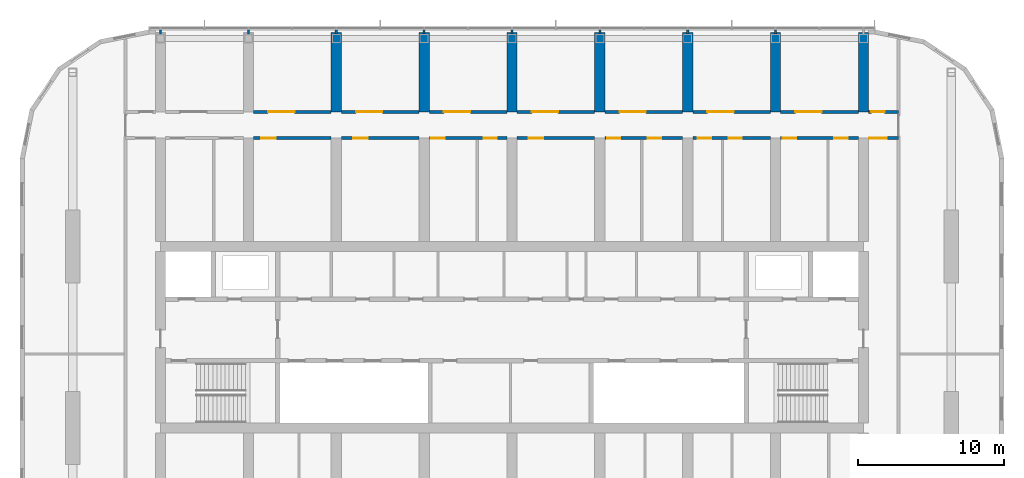
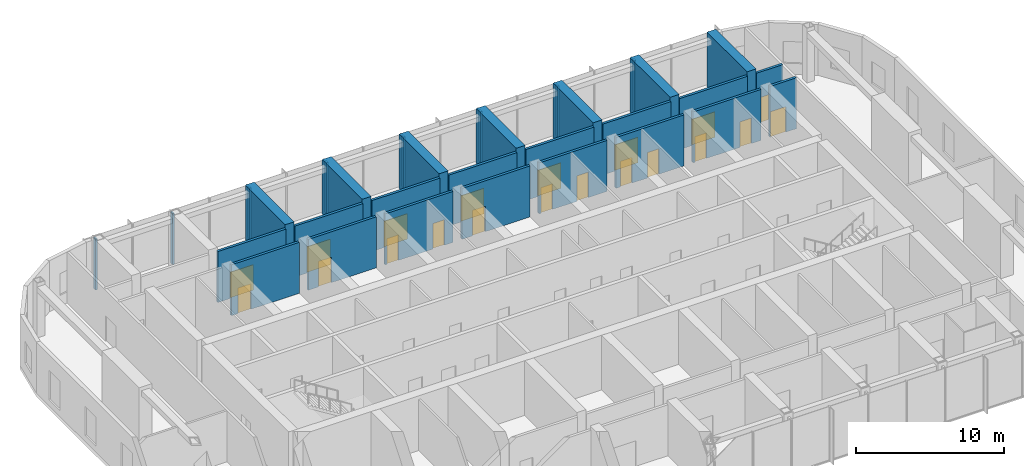
# One storey, part 15 of 21: 31 walls, 20 doors, 20 openings.
"""IFC4 building model written with IfcOpenShell, lengths in metres."""

from ifc_helpers import new_model, si_unit, direction, frame, frame_2d, origin, place, context, subcontext, project, spatial, rectangle, extrude, material, layer, layer_set, type_object, element, fill, save


model = new_model("IFC4")

# Units and contexts
model_context = context("Model", 3, precision=1e-05, world=origin(), true_north=direction((0.0, 1.0)))
body_context = subcontext(model_context, "Body", "Model", "MODEL_VIEW")
ifc_project = project(units=[si_unit("LENGTHUNIT", "METRE"), si_unit("AREAUNIT", "SQUARE_METRE"), si_unit("VOLUMEUNIT", "CUBIC_METRE"), si_unit("PLANEANGLEUNIT", "RADIAN"), si_unit("MASSUNIT", "GRAM", prefix="KILO")], contexts=[model_context])

# Site, building, storey
site_placement = place(None, origin())
site = spatial("IfcSite", under=ifc_project, at=site_placement, CompositionType="ELEMENT")
building_placement = place(site_placement, origin())
building = spatial("IfcBuilding", under=site, at=building_placement, Name="Orbita Commons", CompositionType="ELEMENT")
storey_placement = place(building_placement, frame((0.0, 0.0, 257.800048828125)))
storey = spatial("IfcBuildingStorey", under=building, at=storey_placement, Name="L64", CompositionType="ELEMENT", Elevation=257.800048828125)

# Wall, opening, door
ifc_material_1 = material(Name="Concrete blockwork", Category="masonry")
ifc_layer_1 = layer(ifc_material_1, 0.199951171875)
ifc_layer_set_1 = layer_set([ifc_layer_1], Name="Concrete blockwork")
wall_type_1 = type_object("IfcWallType", Name="Corridor wall 200 blockwork", PredefinedType="SOLIDWALL", material=ifc_layer_set_1)
wall_1_placement = place(storey_placement, frame((24.35009765625, 47.39990234375, 0.0), z_axis=(0.0, 0.0, 1.0), x_axis=(1.0, 0.0, 0.0)))
wall_1 = element("IfcWall", 1, at=wall_1_placement, inside=storey, type_object=wall_type_1, Name="Corridor wall 200 blockwork L64", PredefinedType="SOLIDWALL", context=body_context, shape_type="SweptSolid", body=[
    extrude(rectangle(XDim=5.2998046875, YDim=0.199951171875, at=frame_2d((2.64990234375, 0.0))), origin(), (0.0, 0.0, 1.0), 4.199951171875),
])
opening_1_placement = place(wall_1_placement, frame((1.0, 0.0, 0.0)))
opening_1 = element("IfcOpeningElement", 2, at=opening_1_placement, cuts=wall_1, Name="Opening D07", PredefinedType="OPENING", context=body_context, shape_type="SweptSolid", body=[
    extrude(rectangle(XDim=1.800048828125, YDim=2.10009765625, at=frame_2d((0.89990234375, 1.050048828125))), frame((0.0, 0.10986328125, 0.0), z_axis=(0.0, -1.0, 0.0), x_axis=(1.0, 0.0, 0.0)), (0.0, 0.0, 1.0), 0.219970703125),
])
ifc_material_2 = material(Name="Steel-faced fire door leaf", Category="steel")
door_type_1 = type_object("IfcDoorType", Name="Double corridor door 20 min 1800x2100", OperationType="DOUBLE_DOOR_SINGLE_SWING", PredefinedType="DOOR", material=ifc_material_2)
door_1_placement = place(opening_1_placement, origin())
door_1 = element("IfcDoor", 3, at=door_1_placement, inside=storey, type_object=door_type_1, Name="Interview room L64-NF2 doors", OperationType="DOUBLE_DOOR_SINGLE_SWING", OverallHeight=2.10009765625, OverallWidth=1.800048828125, PredefinedType="DOOR", context=body_context, shape_type="SweptSolid", body=[
    extrude(rectangle(XDim=1.800048828125, YDim=2.10009765625, at=frame_2d((0.89990234375, 1.050048828125))), frame((0.0, 0.02490234375, 0.0), z_axis=(0.0, -1.0, 0.0), x_axis=(1.0, 0.0, 0.0)), (0.0, 0.0, 1.0), 0.050048828125),
])
fill(opening_1, door_1)

wall_2_placement = place(storey_placement, frame((30.35009765625, 47.39990234375, 0.0), z_axis=(0.0, 0.0, 1.0), x_axis=(1.0, 0.0, 0.0)))
wall_2 = element("IfcWall", 4, at=wall_2_placement, inside=storey, type_object=wall_type_1, Name="Corridor wall 200 blockwork L64", PredefinedType="SOLIDWALL", context=body_context, shape_type="SweptSolid", body=[
    extrude(rectangle(XDim=5.2998046875, YDim=0.199951171875, at=frame_2d((2.64990234375, 0.0))), origin(), (0.0, 0.0, 1.0), 4.199951171875),
])
opening_2_placement = place(wall_2_placement, frame((1.0, 0.0, 0.0)))
opening_2 = element("IfcOpeningElement", 5, at=opening_2_placement, cuts=wall_2, Name="Opening D07", PredefinedType="OPENING", context=body_context, shape_type="SweptSolid", body=[
    extrude(rectangle(XDim=1.800048828125, YDim=2.10009765625, at=frame_2d((0.89990234375, 1.050048828125))), frame((0.0, 0.10986328125, 0.0), z_axis=(0.0, -1.0, 0.0), x_axis=(1.0, 0.0, 0.0)), (0.0, 0.0, 1.0), 0.219970703125),
])
door_2_placement = place(opening_2_placement, origin())
door_2 = element("IfcDoor", 6, at=door_2_placement, inside=storey, type_object=door_type_1, Name="Researchers' lounge L64-NF3 doors", OperationType="DOUBLE_DOOR_SINGLE_SWING", OverallHeight=2.10009765625, OverallWidth=1.800048828125, PredefinedType="DOOR", context=body_context, shape_type="SweptSolid", body=[
    extrude(rectangle(XDim=1.800048828125, YDim=2.10009765625, at=frame_2d((0.89990234375, 1.050048828125))), frame((0.0, 0.02490234375, 0.0), z_axis=(0.0, -1.0, 0.0), x_axis=(1.0, 0.0, 0.0)), (0.0, 0.0, 1.0), 0.050048828125),
])
fill(opening_2, door_2)

wall_3_placement = place(storey_placement, frame((36.35009765625, 47.39990234375, 0.0), z_axis=(0.0, 0.0, 1.0), x_axis=(1.0, 0.0, 0.0)))
wall_3 = element("IfcWall", 7, at=wall_3_placement, inside=storey, type_object=wall_type_1, Name="Corridor wall 200 blockwork L64", PredefinedType="SOLIDWALL", context=body_context, shape_type="SweptSolid", body=[
    extrude(rectangle(XDim=5.2998046875, YDim=0.199951171875, at=frame_2d((2.64990234375, 0.0))), origin(), (0.0, 0.0, 1.0), 4.199951171875),
])
opening_3_placement = place(wall_3_placement, frame((1.0, 0.0, 0.0)))
opening_3 = element("IfcOpeningElement", 8, at=opening_3_placement, cuts=wall_3, Name="Opening D07", PredefinedType="OPENING", context=body_context, shape_type="SweptSolid", body=[
    extrude(rectangle(XDim=1.800048828125, YDim=2.10009765625, at=frame_2d((0.89990234375, 1.050048828125))), frame((0.0, 0.10986328125, 0.0), z_axis=(0.0, -1.0, 0.0), x_axis=(1.0, 0.0, 0.0)), (0.0, 0.0, 1.0), 0.219970703125),
])
door_3_placement = place(opening_3_placement, origin())
door_3 = element("IfcDoor", 9, at=door_3_placement, inside=storey, type_object=door_type_1, Name="Project room L64-NF4 doors", OperationType="DOUBLE_DOOR_SINGLE_SWING", OverallHeight=2.10009765625, OverallWidth=1.800048828125, PredefinedType="DOOR", context=body_context, shape_type="SweptSolid", body=[
    extrude(rectangle(XDim=1.800048828125, YDim=2.10009765625, at=frame_2d((0.89990234375, 1.050048828125))), frame((0.0, 0.02490234375, 0.0), z_axis=(0.0, -1.0, 0.0), x_axis=(1.0, 0.0, 0.0)), (0.0, 0.0, 1.0), 0.050048828125),
])
fill(opening_3, door_3)

wall_4_placement = place(storey_placement, frame((42.35009765625, 47.39990234375, 0.0), z_axis=(0.0, 0.0, 1.0), x_axis=(1.0, 0.0, 0.0)))
wall_4 = element("IfcWall", 10, at=wall_4_placement, inside=storey, type_object=wall_type_1, Name="Corridor wall 200 blockwork L64", PredefinedType="SOLIDWALL", context=body_context, shape_type="SweptSolid", body=[
    extrude(rectangle(XDim=5.2998046875, YDim=0.199951171875, at=frame_2d((2.64990234375, 0.0))), origin(), (0.0, 0.0, 1.0), 4.199951171875),
])
opening_4_placement = place(wall_4_placement, frame((1.0, 0.0, 0.0)))
opening_4 = element("IfcOpeningElement", 11, at=opening_4_placement, cuts=wall_4, Name="Opening D07", PredefinedType="OPENING", context=body_context, shape_type="SweptSolid", body=[
    extrude(rectangle(XDim=1.800048828125, YDim=2.10009765625, at=frame_2d((0.89990234375, 1.050048828125))), frame((0.0, 0.10986328125, 0.0), z_axis=(0.0, -1.0, 0.0), x_axis=(1.0, 0.0, 0.0)), (0.0, 0.0, 1.0), 0.219970703125),
])
door_4_placement = place(opening_4_placement, origin())
door_4 = element("IfcDoor", 12, at=door_4_placement, inside=storey, type_object=door_type_1, Name="Study hall L64-NF5 doors", OperationType="DOUBLE_DOOR_SINGLE_SWING", OverallHeight=2.10009765625, OverallWidth=1.800048828125, PredefinedType="DOOR", context=body_context, shape_type="SweptSolid", body=[
    extrude(rectangle(XDim=1.800048828125, YDim=2.10009765625, at=frame_2d((0.89990234375, 1.050048828125))), frame((0.0, 0.02490234375, 0.0), z_axis=(0.0, -1.0, 0.0), x_axis=(1.0, 0.0, 0.0)), (0.0, 0.0, 1.0), 0.050048828125),
])
fill(opening_4, door_4)

wall_5_placement = place(storey_placement, frame((48.35009765625, 47.39990234375, 0.0), z_axis=(0.0, 0.0, 1.0), x_axis=(1.0, 0.0, 0.0)))
wall_5 = element("IfcWall", 13, at=wall_5_placement, inside=storey, type_object=wall_type_1, Name="Corridor wall 200 blockwork L64", PredefinedType="SOLIDWALL", context=body_context, shape_type="SweptSolid", body=[
    extrude(rectangle(XDim=5.2998046875, YDim=0.199951171875, at=frame_2d((2.64990234375, 0.0))), origin(), (0.0, 0.0, 1.0), 4.199951171875),
])
opening_5_placement = place(wall_5_placement, frame((1.0, 0.0, 0.0)))
opening_5 = element("IfcOpeningElement", 14, at=opening_5_placement, cuts=wall_5, Name="Opening D07", PredefinedType="OPENING", context=body_context, shape_type="SweptSolid", body=[
    extrude(rectangle(XDim=1.800048828125, YDim=2.10009765625, at=frame_2d((0.89990234375, 1.050048828125))), frame((0.0, 0.10986328125, 0.0), z_axis=(0.0, -1.0, 0.0), x_axis=(1.0, 0.0, 0.0)), (0.0, 0.0, 1.0), 0.219970703125),
])
door_5_placement = place(opening_5_placement, origin())
door_5 = element("IfcDoor", 15, at=door_5_placement, inside=storey, type_object=door_type_1, Name="Library annexe L64-NF6 doors", OperationType="DOUBLE_DOOR_SINGLE_SWING", OverallHeight=2.10009765625, OverallWidth=1.800048828125, PredefinedType="DOOR", context=body_context, shape_type="SweptSolid", body=[
    extrude(rectangle(XDim=1.800048828125, YDim=2.10009765625, at=frame_2d((0.89990234375, 1.050048828125))), frame((0.0, 0.02490234375, 0.0), z_axis=(0.0, -1.0, 0.0), x_axis=(1.0, 0.0, 0.0)), (0.0, 0.0, 1.0), 0.050048828125),
])
fill(opening_5, door_5)

wall_6_placement = place(storey_placement, frame((54.35009765625, 47.39990234375, 0.0), z_axis=(0.0, 0.0, 1.0), x_axis=(1.0, 0.0, 0.0)))
wall_6 = element("IfcWall", 16, at=wall_6_placement, inside=storey, type_object=wall_type_1, Name="Corridor wall 200 blockwork L64", PredefinedType="SOLIDWALL", context=body_context, shape_type="SweptSolid", body=[
    extrude(rectangle(XDim=5.2998046875, YDim=0.199951171875, at=frame_2d((2.64990234375, 0.0))), origin(), (0.0, 0.0, 1.0), 4.199951171875),
])
opening_6_placement = place(wall_6_placement, frame((1.0, 0.0, 0.0)))
opening_6 = element("IfcOpeningElement", 17, at=opening_6_placement, cuts=wall_6, Name="Opening D07", PredefinedType="OPENING", context=body_context, shape_type="SweptSolid", body=[
    extrude(rectangle(XDim=1.800048828125, YDim=2.10009765625, at=frame_2d((0.89990234375, 1.050048828125))), frame((0.0, 0.10986328125, 0.0), z_axis=(0.0, -1.0, 0.0), x_axis=(1.0, 0.0, 0.0)), (0.0, 0.0, 1.0), 0.219970703125),
])
door_6_placement = place(opening_6_placement, origin())
door_6 = element("IfcDoor", 18, at=door_6_placement, inside=storey, type_object=door_type_1, Name="Media studio L64-NF7 doors", OperationType="DOUBLE_DOOR_SINGLE_SWING", OverallHeight=2.10009765625, OverallWidth=1.800048828125, PredefinedType="DOOR", context=body_context, shape_type="SweptSolid", body=[
    extrude(rectangle(XDim=1.800048828125, YDim=2.10009765625, at=frame_2d((0.89990234375, 1.050048828125))), frame((0.0, 0.02490234375, 0.0), z_axis=(0.0, -1.0, 0.0), x_axis=(1.0, 0.0, 0.0)), (0.0, 0.0, 1.0), 0.050048828125),
])
fill(opening_6, door_6)

wall_7_placement = place(storey_placement, frame((60.35009765625, 47.39990234375, 0.0), z_axis=(0.0, 0.0, 1.0), x_axis=(1.0, 0.0, 0.0)))
wall_7 = element("IfcWall", 19, at=wall_7_placement, inside=storey, type_object=wall_type_1, Name="Corridor wall 200 blockwork L64", PredefinedType="SOLIDWALL", context=body_context, shape_type="SweptSolid", body=[
    extrude(rectangle(XDim=5.2998046875, YDim=0.199951171875, at=frame_2d((2.64990234375, 0.0))), origin(), (0.0, 0.0, 1.0), 4.199951171875),
])
opening_7_placement = place(wall_7_placement, frame((1.0, 0.0, 0.0)))
opening_7 = element("IfcOpeningElement", 20, at=opening_7_placement, cuts=wall_7, Name="Opening D07", PredefinedType="OPENING", context=body_context, shape_type="SweptSolid", body=[
    extrude(rectangle(XDim=1.800048828125, YDim=2.10009765625, at=frame_2d((0.89990234375, 1.050048828125))), frame((0.0, 0.10986328125, 0.0), z_axis=(0.0, -1.0, 0.0), x_axis=(1.0, 0.0, 0.0)), (0.0, 0.0, 1.0), 0.219970703125),
])
door_7_placement = place(opening_7_placement, origin())
door_7 = element("IfcDoor", 21, at=door_7_placement, inside=storey, type_object=door_type_1, Name="Language room L64-NF8 doors", OperationType="DOUBLE_DOOR_SINGLE_SWING", OverallHeight=2.10009765625, OverallWidth=1.800048828125, PredefinedType="DOOR", context=body_context, shape_type="SweptSolid", body=[
    extrude(rectangle(XDim=1.800048828125, YDim=2.10009765625, at=frame_2d((0.89990234375, 1.050048828125))), frame((0.0, 0.02490234375, 0.0), z_axis=(0.0, -1.0, 0.0), x_axis=(1.0, 0.0, 0.0)), (0.0, 0.0, 1.0), 0.050048828125),
])
fill(opening_7, door_7)

wall_8_placement = place(storey_placement, frame((66.35009765625, 47.39990234375, 0.0), z_axis=(0.0, 0.0, 1.0), x_axis=(1.0, 0.0, 0.0)))
wall_8 = element("IfcWall", 22, at=wall_8_placement, inside=storey, type_object=wall_type_1, Name="Corridor wall 200 blockwork L64", PredefinedType="SOLIDWALL", context=body_context, shape_type="SweptSolid", body=[
    extrude(rectangle(XDim=2.0498046875, YDim=0.199951171875, at=frame_2d((1.02490234375, 0.0))), origin(), (0.0, 0.0, 1.0), 4.199951171875),
])
opening_8_placement = place(wall_8_placement, frame((0.199951171875, 0.0, 0.0)))
opening_8 = element("IfcOpeningElement", 23, at=opening_8_placement, cuts=wall_8, Name="Opening D05", PredefinedType="OPENING", context=body_context, shape_type="SweptSolid", body=[
    extrude(rectangle(XDim=0.89990234375, YDim=2.10009765625, at=frame_2d((0.449951171875, 1.050048828125))), frame((0.0, 0.10986328125, 0.0), z_axis=(0.0, -1.0, 0.0), x_axis=(1.0, 0.0, 0.0)), (0.0, 0.0, 1.0), 0.219970703125),
])
ifc_material_3 = material(Name="Steel-faced fire door leaf", Category="steel")
door_type_2 = type_object("IfcDoorType", Name="Service door 20 min 900x2100", OperationType="SINGLE_SWING_LEFT", PredefinedType="DOOR", material=ifc_material_3)
door_8_placement = place(opening_8_placement, origin())
door_8 = element("IfcDoor", 24, at=door_8_placement, inside=storey, type_object=door_type_2, Name="Linen store L64-KEN door", OperationType="SINGLE_SWING_LEFT", OverallHeight=2.10009765625, OverallWidth=0.89990234375, PredefinedType="DOOR", context=body_context, shape_type="SweptSolid", body=[
    extrude(rectangle(XDim=0.89990234375, YDim=2.10009765625, at=frame_2d((0.449951171875, 1.050048828125))), frame((0.0, 0.02490234375, 0.0), z_axis=(0.0, -1.0, 0.0), x_axis=(1.0, 0.0, 0.0)), (0.0, 0.0, 1.0), 0.050048828125),
])
fill(opening_8, door_8)

ifc_material_4 = material(Name="Hollow concrete block 200", Category="concrete")
ifc_layer_2 = layer(ifc_material_4, 0.199951171875)
ifc_layer_set_2 = layer_set([ifc_layer_2], Name="Hollow concrete block 200")
wall_type_2 = type_object("IfcWallType", Name="Corridor wall 200 hollow concrete block", PredefinedType="SOLIDWALL", material=ifc_layer_set_2)
wall_9_placement = place(storey_placement, frame((24.35009765625, 45.60009765625, 0.0), z_axis=(0.0, 0.0, 1.0), x_axis=(1.0, 0.0, 0.0)))
wall_9 = element("IfcWall", 25, at=wall_9_placement, inside=storey, type_object=wall_type_2, Name="Corridor wall 200 hollow concrete block L64", PredefinedType="SOLIDWALL", context=body_context, shape_type="SweptSolid", body=[
    extrude(rectangle(XDim=5.2998046875, YDim=0.199951171875, at=frame_2d((2.64990234375, 0.0))), origin(), (0.0, 0.0, 1.0), 4.199951171875),
])
opening_9_placement = place(wall_9_placement, frame((0.52490234375, 0.0, 0.0)))
opening_9 = element("IfcOpeningElement", 26, at=opening_9_placement, cuts=wall_9, Name="Opening D06", PredefinedType="OPENING", context=body_context, shape_type="SweptSolid", body=[
    extrude(rectangle(XDim=1.0, YDim=2.10009765625, at=frame_2d((0.5, 1.050048828125))), frame((0.0, 0.10986328125, 0.0), z_axis=(0.0, -1.0, 0.0), x_axis=(1.0, 0.0, 0.0)), (0.0, 0.0, 1.0), 0.219970703125),
])
ifc_material_5 = material(Name="Steel-faced fire door leaf", Category="steel")
door_type_3 = type_object("IfcDoorType", Name="Corridor door 20 min 1000x2100", OperationType="SINGLE_SWING_LEFT", PredefinedType="DOOR", material=ifc_material_5)
door_9_placement = place(opening_9_placement, origin())
door_9 = element("IfcDoor", 27, at=door_9_placement, inside=storey, type_object=door_type_3, Name="Electrical and data room L64-BDN24 door", OperationType="SINGLE_SWING_LEFT", OverallHeight=2.10009765625, OverallWidth=1.0, PredefinedType="DOOR", context=body_context, shape_type="SweptSolid", body=[
    extrude(rectangle(XDim=1.0, YDim=2.10009765625, at=frame_2d((0.5, 1.050048828125))), frame((0.0, 0.02490234375, 0.0), z_axis=(0.0, -1.0, 0.0), x_axis=(1.0, 0.0, 0.0)), (0.0, 0.0, 1.0), 0.050048828125),
])
fill(opening_9, door_9)

wall_10_placement = place(storey_placement, frame((30.35009765625, 45.60009765625, 0.0), z_axis=(0.0, 0.0, 1.0), x_axis=(1.0, 0.0, 0.0)))
wall_10 = element("IfcWall", 28, at=wall_10_placement, inside=storey, type_object=wall_type_2, Name="Corridor wall 200 hollow concrete block L64", PredefinedType="SOLIDWALL", context=body_context, shape_type="SweptSolid", body=[
    extrude(rectangle(XDim=5.2998046875, YDim=0.199951171875, at=frame_2d((2.64990234375, 0.0))), origin(), (0.0, 0.0, 1.0), 4.199951171875),
])
opening_10_placement = place(wall_10_placement, frame((0.800048828125, 0.0, 0.0)))
opening_10 = element("IfcOpeningElement", 29, at=opening_10_placement, cuts=wall_10, Name="Opening D06", PredefinedType="OPENING", context=body_context, shape_type="SweptSolid", body=[
    extrude(rectangle(XDim=1.0, YDim=2.10009765625, at=frame_2d((0.5, 1.050048828125))), frame((0.0, 0.10986328125, 0.0), z_axis=(0.0, -1.0, 0.0), x_axis=(1.0, 0.0, 0.0)), (0.0, 0.0, 1.0), 0.219970703125),
])
door_10_placement = place(opening_10_placement, origin())
door_10 = element("IfcDoor", 30, at=door_10_placement, inside=storey, type_object=door_type_3, Name="Refuse and recycling room L64-BDN30 door", OperationType="SINGLE_SWING_LEFT", OverallHeight=2.10009765625, OverallWidth=1.0, PredefinedType="DOOR", context=body_context, shape_type="SweptSolid", body=[
    extrude(rectangle(XDim=1.0, YDim=2.10009765625, at=frame_2d((0.5, 1.050048828125))), frame((0.0, 0.02490234375, 0.0), z_axis=(0.0, -1.0, 0.0), x_axis=(1.0, 0.0, 0.0)), (0.0, 0.0, 1.0), 0.050048828125),
])
fill(opening_10, door_10)

# Wall, openings, doors
wall_11_placement = place(storey_placement, frame((36.35009765625, 45.60009765625, 0.0), z_axis=(0.0, 0.0, 1.0), x_axis=(1.0, 0.0, 0.0)))
wall_11 = element("IfcWall", 31, at=wall_11_placement, inside=storey, type_object=wall_type_2, Name="Corridor wall 200 hollow concrete block L64", PredefinedType="SOLIDWALL", context=body_context, shape_type="SweptSolid", body=[
    extrude(rectangle(XDim=5.2998046875, YDim=0.199951171875, at=frame_2d((2.64990234375, 0.0))), origin(), (0.0, 0.0, 1.0), 4.199951171875),
])
opening_11_placement = place(wall_11_placement, frame((0.14990234375, 0.0, 0.0)))
opening_11 = element("IfcOpeningElement", 32, at=opening_11_placement, cuts=wall_11, Name="Opening D11", PredefinedType="OPENING", context=body_context, shape_type="SweptSolid", body=[
    extrude(rectangle(XDim=0.89990234375, YDim=2.10009765625, at=frame_2d((0.449951171875, 1.050048828125))), frame((0.0, 0.10986328125, 0.0), z_axis=(0.0, -1.0, 0.0), x_axis=(1.0, 0.0, 0.0)), (0.0, 0.0, 1.0), 0.219970703125),
])
opening_12_placement = place(wall_11_placement, frame((3.705078125, 0.0, 0.0)))
opening_12 = element("IfcOpeningElement", 33, at=opening_12_placement, cuts=wall_11, Name="Opening D11", PredefinedType="OPENING", context=body_context, shape_type="SweptSolid", body=[
    extrude(rectangle(XDim=0.89990234375, YDim=2.10009765625, at=frame_2d((0.449951171875, 1.050048828125))), frame((0.0, 0.10986328125, 0.0), z_axis=(0.0, -1.0, 0.0), x_axis=(1.0, 0.0, 0.0)), (0.0, 0.0, 1.0), 0.219970703125),
])
ifc_material_6 = material(Name="Steel-faced fire door leaf", Category="steel")
door_type_4 = type_object("IfcDoorType", Name="Corridor door 20 min 900x2100", OperationType="SINGLE_SWING_LEFT", PredefinedType="DOOR", material=ifc_material_6)
door_11_placement = place(opening_11_placement, origin())
door_11 = element("IfcDoor", 34, at=door_11_placement, inside=storey, type_object=door_type_4, Name="Bulk and luggage store L64-BDN36 door", OperationType="SINGLE_SWING_LEFT", OverallHeight=2.10009765625, OverallWidth=0.89990234375, PredefinedType="DOOR", context=body_context, shape_type="SweptSolid", body=[
    extrude(rectangle(XDim=0.89990234375, YDim=2.10009765625, at=frame_2d((0.449951171875, 1.050048828125))), frame((0.0, 0.02490234375, 0.0), z_axis=(0.0, -1.0, 0.0), x_axis=(1.0, 0.0, 0.0)), (0.0, 0.0, 1.0), 0.050048828125),
])
fill(opening_11, door_11)
door_12_placement = place(opening_12_placement, origin())
door_12 = element("IfcDoor", 35, at=door_12_placement, inside=storey, type_object=door_type_4, Name="Battery and UPS room L64-BDN36n door", OperationType="SINGLE_SWING_LEFT", OverallHeight=2.10009765625, OverallWidth=0.89990234375, PredefinedType="DOOR", context=body_context, shape_type="SweptSolid", body=[
    extrude(rectangle(XDim=0.89990234375, YDim=2.10009765625, at=frame_2d((0.449951171875, 1.050048828125))), frame((0.0, 0.02490234375, 0.0), z_axis=(0.0, -1.0, 0.0), x_axis=(1.0, 0.0, 0.0)), (0.0, 0.0, 1.0), 0.050048828125),
])
fill(opening_12, door_12)

# Wall, opening, door
wall_12_placement = place(storey_placement, frame((42.35009765625, 45.60009765625, 0.0), z_axis=(0.0, 0.0, 1.0), x_axis=(1.0, 0.0, 0.0)))
wall_12 = element("IfcWall", 36, at=wall_12_placement, inside=storey, type_object=wall_type_2, Name="Corridor wall 200 hollow concrete block L64", PredefinedType="SOLIDWALL", context=body_context, shape_type="SweptSolid", body=[
    extrude(rectangle(XDim=5.2998046875, YDim=0.199951171875, at=frame_2d((2.64990234375, 0.0))), origin(), (0.0, 0.0, 1.0), 4.199951171875),
])
opening_13_placement = place(wall_12_placement, frame((0.800048828125, 0.0, 0.0)))
opening_13 = element("IfcOpeningElement", 37, at=opening_13_placement, cuts=wall_12, Name="Opening D06", PredefinedType="OPENING", context=body_context, shape_type="SweptSolid", body=[
    extrude(rectangle(XDim=1.0, YDim=2.10009765625, at=frame_2d((0.5, 1.050048828125))), frame((0.0, 0.10986328125, 0.0), z_axis=(0.0, -1.0, 0.0), x_axis=(1.0, 0.0, 0.0)), (0.0, 0.0, 1.0), 0.219970703125),
])
door_13_placement = place(opening_13_placement, origin())
door_13 = element("IfcDoor", 38, at=door_13_placement, inside=storey, type_object=door_type_3, Name="Store L64-BDN42 door", OperationType="SINGLE_SWING_LEFT", OverallHeight=2.10009765625, OverallWidth=1.0, PredefinedType="DOOR", context=body_context, shape_type="SweptSolid", body=[
    extrude(rectangle(XDim=1.0, YDim=2.10009765625, at=frame_2d((0.5, 1.050048828125))), frame((0.0, 0.02490234375, 0.0), z_axis=(0.0, -1.0, 0.0), x_axis=(1.0, 0.0, 0.0)), (0.0, 0.0, 1.0), 0.050048828125),
])
fill(opening_13, door_13)

# Wall, openings, doors
wall_13_placement = place(storey_placement, frame((48.35009765625, 45.60009765625, 0.0), z_axis=(0.0, 0.0, 1.0), x_axis=(1.0, 0.0, 0.0)))
wall_13 = element("IfcWall", 39, at=wall_13_placement, inside=storey, type_object=wall_type_2, Name="Corridor wall 200 hollow concrete block L64", PredefinedType="SOLIDWALL", context=body_context, shape_type="SweptSolid", body=[
    extrude(rectangle(XDim=5.2998046875, YDim=0.199951171875, at=frame_2d((2.64990234375, 0.0))), origin(), (0.0, 0.0, 1.0), 4.199951171875),
])
opening_14_placement = place(wall_13_placement, frame((0.14990234375, 0.0, 0.0)))
opening_14 = element("IfcOpeningElement", 40, at=opening_14_placement, cuts=wall_13, Name="Opening D11", PredefinedType="OPENING", context=body_context, shape_type="SweptSolid", body=[
    extrude(rectangle(XDim=0.89990234375, YDim=2.10009765625, at=frame_2d((0.449951171875, 1.050048828125))), frame((0.0, 0.10986328125, 0.0), z_axis=(0.0, -1.0, 0.0), x_axis=(1.0, 0.0, 0.0)), (0.0, 0.0, 1.0), 0.219970703125),
])
opening_15_placement = place(wall_13_placement, frame((2.93505859375, 0.0, 0.0)))
opening_15 = element("IfcOpeningElement", 41, at=opening_15_placement, cuts=wall_13, Name="Opening D11", PredefinedType="OPENING", context=body_context, shape_type="SweptSolid", body=[
    extrude(rectangle(XDim=0.89990234375, YDim=2.10009765625, at=frame_2d((0.449951171875, 1.050048828125))), frame((0.0, 0.10986328125, 0.0), z_axis=(0.0, -1.0, 0.0), x_axis=(1.0, 0.0, 0.0)), (0.0, 0.0, 1.0), 0.219970703125),
])
door_14_placement = place(opening_14_placement, origin())
door_14 = element("IfcDoor", 42, at=door_14_placement, inside=storey, type_object=door_type_4, Name="Linen store L64-BDN48 door", OperationType="SINGLE_SWING_LEFT", OverallHeight=2.10009765625, OverallWidth=0.89990234375, PredefinedType="DOOR", context=body_context, shape_type="SweptSolid", body=[
    extrude(rectangle(XDim=0.89990234375, YDim=2.10009765625, at=frame_2d((0.449951171875, 1.050048828125))), frame((0.0, 0.02490234375, 0.0), z_axis=(0.0, -1.0, 0.0), x_axis=(1.0, 0.0, 0.0)), (0.0, 0.0, 1.0), 0.050048828125),
])
fill(opening_14, door_14)
door_15_placement = place(opening_15_placement, origin())
door_15 = element("IfcDoor", 43, at=door_15_placement, inside=storey, type_object=door_type_4, Name="Sprinkler valve room L64-BDN48n door", OperationType="SINGLE_SWING_LEFT", OverallHeight=2.10009765625, OverallWidth=0.89990234375, PredefinedType="DOOR", context=body_context, shape_type="SweptSolid", body=[
    extrude(rectangle(XDim=0.89990234375, YDim=2.10009765625, at=frame_2d((0.449951171875, 1.050048828125))), frame((0.0, 0.02490234375, 0.0), z_axis=(0.0, -1.0, 0.0), x_axis=(1.0, 0.0, 0.0)), (0.0, 0.0, 1.0), 0.050048828125),
])
fill(opening_15, door_15)

wall_14_placement = place(storey_placement, frame((54.35009765625, 45.60009765625, 0.0), z_axis=(0.0, 0.0, 1.0), x_axis=(1.0, 0.0, 0.0)))
wall_14 = element("IfcWall", 44, at=wall_14_placement, inside=storey, type_object=wall_type_2, Name="Corridor wall 200 hollow concrete block L64", PredefinedType="SOLIDWALL", context=body_context, shape_type="SweptSolid", body=[
    extrude(rectangle(XDim=5.2998046875, YDim=0.199951171875, at=frame_2d((2.64990234375, 0.0))), origin(), (0.0, 0.0, 1.0), 4.199951171875),
])
opening_16_placement = place(wall_14_placement, frame((0.35009765625, 0.0, 0.0)))
opening_16 = element("IfcOpeningElement", 45, at=opening_16_placement, cuts=wall_14, Name="Opening D11", PredefinedType="OPENING", context=body_context, shape_type="SweptSolid", body=[
    extrude(rectangle(XDim=0.89990234375, YDim=2.10009765625, at=frame_2d((0.449951171875, 1.050048828125))), frame((0.0, 0.10986328125, 0.0), z_axis=(0.0, -1.0, 0.0), x_axis=(1.0, 0.0, 0.0)), (0.0, 0.0, 1.0), 0.219970703125),
])
opening_17_placement = place(wall_14_placement, frame((2.445068359375, 0.0, 0.0)))
opening_17 = element("IfcOpeningElement", 46, at=opening_17_placement, cuts=wall_14, Name="Opening D11", PredefinedType="OPENING", context=body_context, shape_type="SweptSolid", body=[
    extrude(rectangle(XDim=0.89990234375, YDim=2.10009765625, at=frame_2d((0.449951171875, 1.050048828125))), frame((0.0, 0.10986328125, 0.0), z_axis=(0.0, -1.0, 0.0), x_axis=(1.0, 0.0, 0.0)), (0.0, 0.0, 1.0), 0.219970703125),
])
door_16_placement = place(opening_16_placement, origin())
door_16 = element("IfcDoor", 47, at=door_16_placement, inside=storey, type_object=door_type_4, Name="Riser access cupboard L64-BDN54n door", OperationType="SINGLE_SWING_LEFT", OverallHeight=2.10009765625, OverallWidth=0.89990234375, PredefinedType="DOOR", context=body_context, shape_type="SweptSolid", body=[
    extrude(rectangle(XDim=0.89990234375, YDim=2.10009765625, at=frame_2d((0.449951171875, 1.050048828125))), frame((0.0, 0.02490234375, 0.0), z_axis=(0.0, -1.0, 0.0), x_axis=(1.0, 0.0, 0.0)), (0.0, 0.0, 1.0), 0.050048828125),
])
fill(opening_16, door_16)
door_17_placement = place(opening_17_placement, origin())
door_17 = element("IfcDoor", 48, at=door_17_placement, inside=storey, type_object=door_type_4, Name="IT room L64-BDN54 door", OperationType="SINGLE_SWING_LEFT", OverallHeight=2.10009765625, OverallWidth=0.89990234375, PredefinedType="DOOR", context=body_context, shape_type="SweptSolid", body=[
    extrude(rectangle(XDim=0.89990234375, YDim=2.10009765625, at=frame_2d((0.449951171875, 1.050048828125))), frame((0.0, 0.02490234375, 0.0), z_axis=(0.0, -1.0, 0.0), x_axis=(1.0, 0.0, 0.0)), (0.0, 0.0, 1.0), 0.050048828125),
])
fill(opening_17, door_17)

wall_15_placement = place(storey_placement, frame((60.35009765625, 45.60009765625, 0.0), z_axis=(0.0, 0.0, 1.0), x_axis=(1.0, 0.0, 0.0)))
wall_15 = element("IfcWall", 49, at=wall_15_placement, inside=storey, type_object=wall_type_2, Name="Corridor wall 200 hollow concrete block L64", PredefinedType="SOLIDWALL", context=body_context, shape_type="SweptSolid", body=[
    extrude(rectangle(XDim=5.2998046875, YDim=0.199951171875, at=frame_2d((2.64990234375, 0.0))), origin(), (0.0, 0.0, 1.0), 4.199951171875),
])
opening_18_placement = place(wall_15_placement, frame((0.14990234375, 0.0, 0.0)))
opening_18 = element("IfcOpeningElement", 50, at=opening_18_placement, cuts=wall_15, Name="Opening D11", PredefinedType="OPENING", context=body_context, shape_type="SweptSolid", body=[
    extrude(rectangle(XDim=0.89990234375, YDim=2.10009765625, at=frame_2d((0.449951171875, 1.050048828125))), frame((0.0, 0.10986328125, 0.0), z_axis=(0.0, -1.0, 0.0), x_axis=(1.0, 0.0, 0.0)), (0.0, 0.0, 1.0), 0.219970703125),
])
opening_19_placement = place(wall_15_placement, frame((3.6650390625, 0.0, 0.0)))
opening_19 = element("IfcOpeningElement", 51, at=opening_19_placement, cuts=wall_15, Name="Opening D11", PredefinedType="OPENING", context=body_context, shape_type="SweptSolid", body=[
    extrude(rectangle(XDim=0.89990234375, YDim=2.10009765625, at=frame_2d((0.449951171875, 1.050048828125))), frame((0.0, 0.10986328125, 0.0), z_axis=(0.0, -1.0, 0.0), x_axis=(1.0, 0.0, 0.0)), (0.0, 0.0, 1.0), 0.219970703125),
])
door_18_placement = place(opening_18_placement, origin())
door_18 = element("IfcDoor", 52, at=door_18_placement, inside=storey, type_object=door_type_4, Name="Furniture store L64-BDN60 door", OperationType="SINGLE_SWING_LEFT", OverallHeight=2.10009765625, OverallWidth=0.89990234375, PredefinedType="DOOR", context=body_context, shape_type="SweptSolid", body=[
    extrude(rectangle(XDim=0.89990234375, YDim=2.10009765625, at=frame_2d((0.449951171875, 1.050048828125))), frame((0.0, 0.02490234375, 0.0), z_axis=(0.0, -1.0, 0.0), x_axis=(1.0, 0.0, 0.0)), (0.0, 0.0, 1.0), 0.050048828125),
])
fill(opening_18, door_18)
door_19_placement = place(opening_19_placement, origin())
door_19 = element("IfcDoor", 53, at=door_19_placement, inside=storey, type_object=door_type_4, Name="Water heater cupboard L64-BDN60n door", OperationType="SINGLE_SWING_LEFT", OverallHeight=2.10009765625, OverallWidth=0.89990234375, PredefinedType="DOOR", context=body_context, shape_type="SweptSolid", body=[
    extrude(rectangle(XDim=0.89990234375, YDim=2.10009765625, at=frame_2d((0.449951171875, 1.050048828125))), frame((0.0, 0.02490234375, 0.0), z_axis=(0.0, -1.0, 0.0), x_axis=(1.0, 0.0, 0.0)), (0.0, 0.0, 1.0), 0.050048828125),
])
fill(opening_19, door_19)

# Wall, opening, door
wall_16_placement = place(storey_placement, frame((66.35009765625, 45.60009765625, 0.0), z_axis=(0.0, 0.0, 1.0), x_axis=(1.0, 0.0, 0.0)))
wall_16 = element("IfcWall", 54, at=wall_16_placement, inside=storey, type_object=wall_type_2, Name="Corridor wall 200 hollow concrete block L64", PredefinedType="SOLIDWALL", context=body_context, shape_type="SweptSolid", body=[
    extrude(rectangle(XDim=2.0498046875, YDim=0.199951171875, at=frame_2d((1.02490234375, 0.0))), origin(), (0.0, 0.0, 1.0), 4.199951171875),
])
opening_20_placement = place(wall_16_placement, frame((0.050048828125, 0.0, 0.0)))
opening_20 = element("IfcOpeningElement", 55, at=opening_20_placement, cuts=wall_16, Name="Opening D12", PredefinedType="OPENING", context=body_context, shape_type="SweptSolid", body=[
    extrude(rectangle(XDim=1.199951171875, YDim=2.10009765625, at=frame_2d((0.60009765625, 1.050048828125))), frame((0.0, 0.10986328125, 0.0), z_axis=(0.0, -1.0, 0.0), x_axis=(1.0, 0.0, 0.0)), (0.0, 0.0, 1.0), 0.219970703125),
])
ifc_material_7 = material(Name="Steel-faced fire door leaf", Category="steel")
door_type_5 = type_object("IfcDoorType", Name="Double corridor door 20 min 1200x2100", OperationType="DOUBLE_DOOR_SINGLE_SWING", PredefinedType="DOOR", material=ifc_material_7)
door_20_placement = place(opening_20_placement, origin())
door_20 = element("IfcDoor", 56, at=door_20_placement, inside=storey, type_object=door_type_5, Name="Cross corridor doors", OperationType="DOUBLE_DOOR_SINGLE_SWING", OverallHeight=2.10009765625, OverallWidth=1.199951171875, PredefinedType="DOOR", context=body_context, shape_type="SweptSolid", body=[
    extrude(rectangle(XDim=1.199951171875, YDim=2.10009765625, at=frame_2d((0.60009765625, 1.050048828125))), frame((0.0, 0.02490234375, 0.0), z_axis=(0.0, -1.0, 0.0), x_axis=(1.0, 0.0, 0.0)), (0.0, 0.0, 1.0), 0.050048828125),
])
fill(opening_20, door_20)

# Walls
ifc_material_8 = material(Name="Concrete C50/60", Category="concrete")
ifc_layer_3 = layer(ifc_material_8, 0.699951171875)
ifc_layer_set_3 = layer_set([ifc_layer_3], Name="Concrete C50/60")
wall_type_3 = type_object("IfcWallType", Name="Cross wall 700 C50/60", PredefinedType="SHEAR", material=ifc_layer_set_3)
for number, where, z_axis, x_axis, name in (
    (57, (30.0, 47.39990234375, 0.0), (0.0, 0.0, 1.0), (0.0, 1.0, 0.0), "Cross wall 6 north outer L64"),
    (58, (36.0, 47.39990234375, 0.0), (0.0, 0.0, 1.0), (0.0, 1.0, 0.0), "Cross wall 7 north outer L64"),
    (59, (42.0, 47.39990234375, 0.0), (0.0, 0.0, 1.0), (0.0, 1.0, 0.0), "Cross wall 8 north outer L64"),
    (60, (48.0, 47.39990234375, 0.0), (0.0, 0.0, 1.0), (0.0, 1.0, 0.0), "Cross wall 9 north outer L64"),
    (61, (54.0, 47.39990234375, 0.0), (0.0, 0.0, 1.0), (0.0, 1.0, 0.0), "Cross wall 10 north outer L64"),
    (62, (60.0, 47.39990234375, 0.0), (0.0, 0.0, 1.0), (0.0, 1.0, 0.0), "Cross wall 11 north outer L64"),
    (63, (66.0, 47.39990234375, 0.0), (0.0, 0.0, 1.0), (0.0, 1.0, 0.0), "Cross wall 12 north outer L64"),
):
    element("IfcWall", number, at=place(storey_placement, frame(where, z_axis=z_axis, x_axis=x_axis)), inside=storey, type_object=wall_type_3, Name=name, PredefinedType="SHEAR", context=body_context, shape_type="SweptSolid", body=[
        extrude(rectangle(XDim=5.400146484375, YDim=0.699951171875, at=frame_2d((2.7001953125, 0.0))), origin(), (0.0, 0.0, 1.0), 4.5),
    ])
ifc_material_9 = material(Name="Gypsum plasterboard on steel studs", Category="steel")
ifc_layer_4 = layer(ifc_material_9, 0.14990234375)
ifc_layer_set_4 = layer_set([ifc_layer_4], Name="Gypsum plasterboard on steel studs")
wall_type_4 = type_object("IfcWallType", Name="Partition 150 plasterboard", PredefinedType="PARTITIONING", material=ifc_layer_set_4)
for number, where, z_axis, x_axis, name in (
    (64, (18.0, 52.699951171875, 0.0), (0.0, 0.0, 1.0), (0.0, 1.0, 0.0), "Partition 150 plasterboard L64"),
    (65, (24.0, 52.699951171875, 0.0), (0.0, 0.0, 1.0), (0.0, 1.0, 0.0), "Partition 150 plasterboard L64"),
    (66, (30.0, 52.699951171875, 0.0), (0.0, 0.0, 1.0), (0.0, 1.0, 0.0), "Partition 150 plasterboard L64"),
    (67, (36.0, 52.699951171875, 0.0), (0.0, 0.0, 1.0), (0.0, 1.0, 0.0), "Partition 150 plasterboard L64"),
    (68, (42.0, 52.699951171875, 0.0), (0.0, 0.0, 1.0), (0.0, 1.0, 0.0), "Partition 150 plasterboard L64"),
    (69, (48.0, 52.699951171875, 0.0), (0.0, 0.0, 1.0), (0.0, 1.0, 0.0), "Partition 150 plasterboard L64"),
    (70, (54.0, 52.699951171875, 0.0), (0.0, 0.0, 1.0), (0.0, 1.0, 0.0), "Partition 150 plasterboard L64"),
    (71, (60.0, 52.699951171875, 0.0), (0.0, 0.0, 1.0), (0.0, 1.0, 0.0), "Partition 150 plasterboard L64"),
):
    element("IfcWall", number, at=place(storey_placement, frame(where, z_axis=z_axis, x_axis=x_axis)), inside=storey, type_object=wall_type_4, Name=name, PredefinedType="PARTITIONING", context=body_context, shape_type="SweptSolid", body=[
        extrude(rectangle(XDim=0.2900390625, YDim=0.14990234375, at=frame_2d((0.14501953125, 0.0))), origin(), (0.0, 0.0, 1.0), 4.199951171875),
    ])

save(model, "model.ifc")
